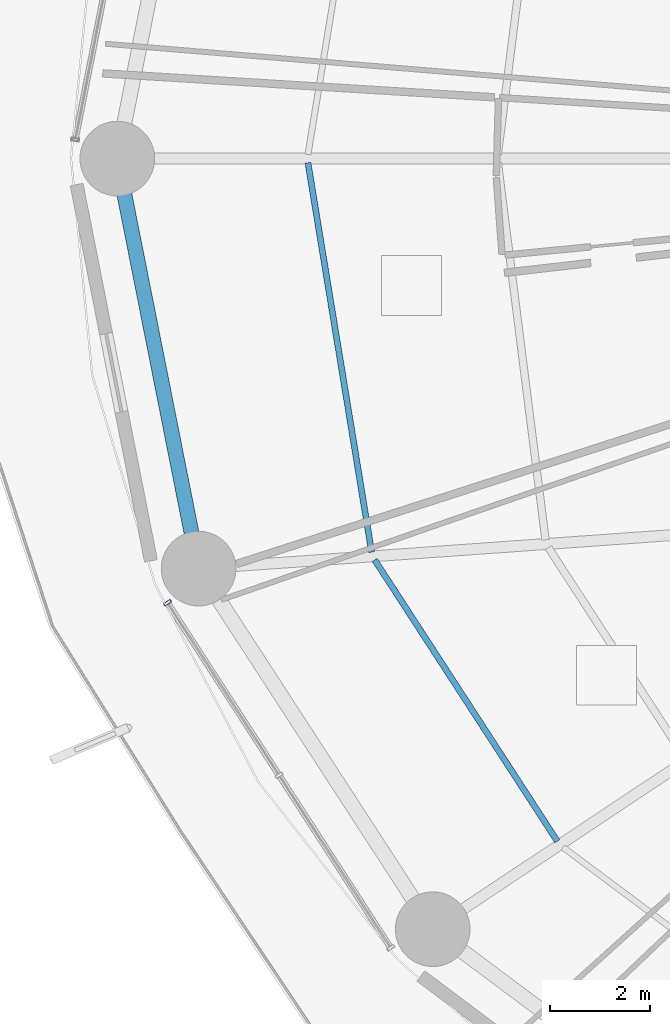
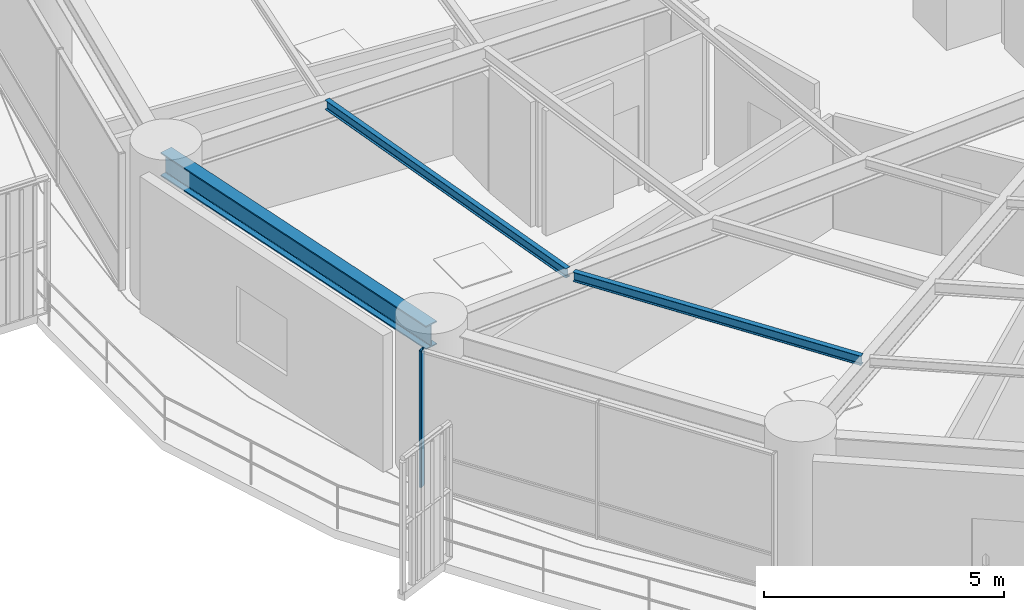
# One storey, part 4 of 31: 3 beams, 1 member, 1 element without a shape of its own.
"""IFC4 building model written with IfcOpenShell, lengths in metres."""

from ifc_helpers import new_model, si_unit, direction, frame, origin, origin_2d, place, context, subcontext, project, spatial, hollow_rectangle, i_section, extrude, material, layer, layer_set, material_profile, profile_set, type_object, element, aggregate, save


model = new_model("IFC4")

# Units and contexts
model_context = context("Model", 3, precision=1e-05, world=origin(), true_north=direction((0.0, 1.0)))
body_context = subcontext(model_context, "Body", "Model", "MODEL_VIEW")
ifc_project = project(units=[si_unit("LENGTHUNIT", "METRE"), si_unit("AREAUNIT", "SQUARE_METRE"), si_unit("VOLUMEUNIT", "CUBIC_METRE"), si_unit("PLANEANGLEUNIT", "RADIAN"), si_unit("MASSUNIT", "GRAM", prefix="KILO")], contexts=[model_context])

# Site, building, storey
site_placement = place(None, origin())
site = spatial("IfcSite", under=ifc_project, at=site_placement, CompositionType="ELEMENT")
building_placement = place(site_placement, origin())
building = spatial("IfcBuilding", under=site, at=building_placement, Name="Kelanora Arch Commons", CompositionType="ELEMENT")
storey_placement = place(building_placement, frame((0.0, 0.0, 63.75)))
storey = spatial("IfcBuildingStorey", under=building, at=storey_placement, Name="L16", CompositionType="ELEMENT", Elevation=63.75)

# Beams
ifc_material_1 = material(Name="Steel S355", Category="steel")
ifc_material_profile_1 = material_profile(ifc_material_1, i_section(OverallWidth=0.1201171875, OverallDepth=0.239990234375, WebThickness=0.006103515625, FlangeThickness=0.009765625, FilletRadius=0.014892578125, at=origin_2d()), Name="IPE240")
ifc_profile_set_1 = profile_set([ifc_material_profile_1], Name="Steel S355")
beam_type_1 = type_object("IfcBeamType", Name="BM-JST-02", PredefinedType="JOIST", material=ifc_profile_set_1)
beam_1_placement = place(storey_placement, frame((50.749755859375, 57.916015625, 3.3701171875), z_axis=(0.161400737199, -0.986888951216, 0.0), x_axis=(0.986888951216, 0.161400737199, 0.0)))
element("IfcBeam", 1, at=beam_1_placement, inside=storey, type_object=beam_type_1, Name="Secondary Chord Joist BJC-18 L16", PredefinedType="JOIST", context=body_context, shape_type="SweptSolid", body=[
    extrude(i_section(OverallWidth=0.1201171875, OverallDepth=0.239990234375, WebThickness=0.006103515625, FlangeThickness=0.009765625, FilletRadius=0.014892578125, at=origin_2d()), origin(), (0.0, 0.0, 1.0), 7.9248046875),
])
beam_2_placement = place(storey_placement, frame((52.0888671875, 49.940185546875, 3.3701171875), z_axis=(0.544550165372, -0.838728273873, 0.0), x_axis=(0.838728273873, 0.544550165372, 0.0)))
element("IfcBeam", 2, at=beam_2_placement, inside=storey, type_object=beam_type_1, Name="Secondary Chord Joist BJC-20 L16", PredefinedType="JOIST", context=body_context, shape_type="SweptSolid", body=[
    extrude(i_section(OverallWidth=0.1201171875, OverallDepth=0.239990234375, WebThickness=0.006103515625, FlangeThickness=0.009765625, FilletRadius=0.014892578125, at=origin_2d()), origin(), (0.0, 0.0, 1.0), 6.738037109375),
])
ifc_material_profile_2 = material_profile(ifc_material_1, i_section(OverallWidth=0.300048828125, OverallDepth=0.60009765625, WebThickness=0.015380859375, FlangeThickness=0.030029296875, FilletRadius=0.027099609375, at=origin_2d()), Name="HEB600")
ifc_profile_set_2 = profile_set([ifc_material_profile_2], Name="Steel S355")
beam_type_2 = type_object("IfcBeamType", Name="BM-SPN-Z1", PredefinedType="SPANDREL", material=ifc_profile_set_2)
beam_3_placement = place(storey_placement, frame((46.919921875, 58.0, 3.18994140625), z_axis=(0.194499827256, -0.980902552345, 0.0), x_axis=(0.980902552345, 0.194499827256, 0.0)))
element("IfcBeam", 3, at=beam_3_placement, inside=storey, type_object=beam_type_2, Name="Perimeter Spandrel Beam BS-18 L16", PredefinedType="SPANDREL", context=body_context, shape_type="SweptSolid", body=[
    extrude(i_section(OverallWidth=0.300048828125, OverallDepth=0.60009765625, WebThickness=0.015380859375, FlangeThickness=0.030029296875, FilletRadius=0.027099609375, at=origin_2d()), origin(), (0.0, 0.0, 1.0), 8.396240234375),
])

# Curtain wall, member
ifc_material_2 = material(Name="Terracotta ceramic-fritted low-E glass and aluminium", Category="masonry")
ifc_layer = layer(ifc_material_2, 0.159912109375)
ifc_layer_set = layer_set([ifc_layer], Name="Terracotta ceramic-fritted low-E glass and aluminium")
curtain_wall_type = type_object("IfcCurtainWallType", Name="CW-SYS-01", PredefinedType="NOTDEFINED", material=ifc_layer_set)
curtain_wall_placement = place(storey_placement, origin())
curtain_wall = element("IfcCurtainWall", 4, at=curtain_wall_placement, inside=storey, type_object=curtain_wall_type, Name="Unitised Curtain Wall L16-B10", PredefinedType="NOTDEFINED")
ifc_material_3 = material(Name="Powder-coated aluminium terracotta", Category="masonry")
ifc_material_profile_3 = material_profile(ifc_material_3, hollow_rectangle(XDim=0.159912109375, YDim=0.06005859375, WallThickness=0.0048828125, InnerFilletRadius=0.0048828125, OuterFilletRadius=0.010009765625, at=origin_2d()), Name="CWM160x60")
ifc_profile_set_3 = profile_set([ifc_material_profile_3], Name="Powder-coated aluminium terracotta")
member_type = type_object("IfcMemberType", Name="CWM-STD", PredefinedType="MULLION", material=ifc_profile_set_3)
member_placement = place(storey_placement, frame((47.927734375, 49.07958984375, 0.0), z_axis=(0.0, 0.0, 1.0), x_axis=(0.83972982332, 0.543004441812, 0.0)))
member = element("IfcMember", 5, at=member_placement, type_object=member_type, Name="CW-01 mullion 1", PredefinedType="MULLION", context=body_context, shape_type="SweptSolid", body=[
    extrude(hollow_rectangle(XDim=0.159912109375, YDim=0.06005859375, WallThickness=0.0048828125, InnerFilletRadius=0.0048828125, OuterFilletRadius=0.010009765625, at=origin_2d()), origin(), (0.0, 0.0, 1.0), 3.47509765625),
])
aggregate(curtain_wall, [member])

save(model, "model.ifc")
